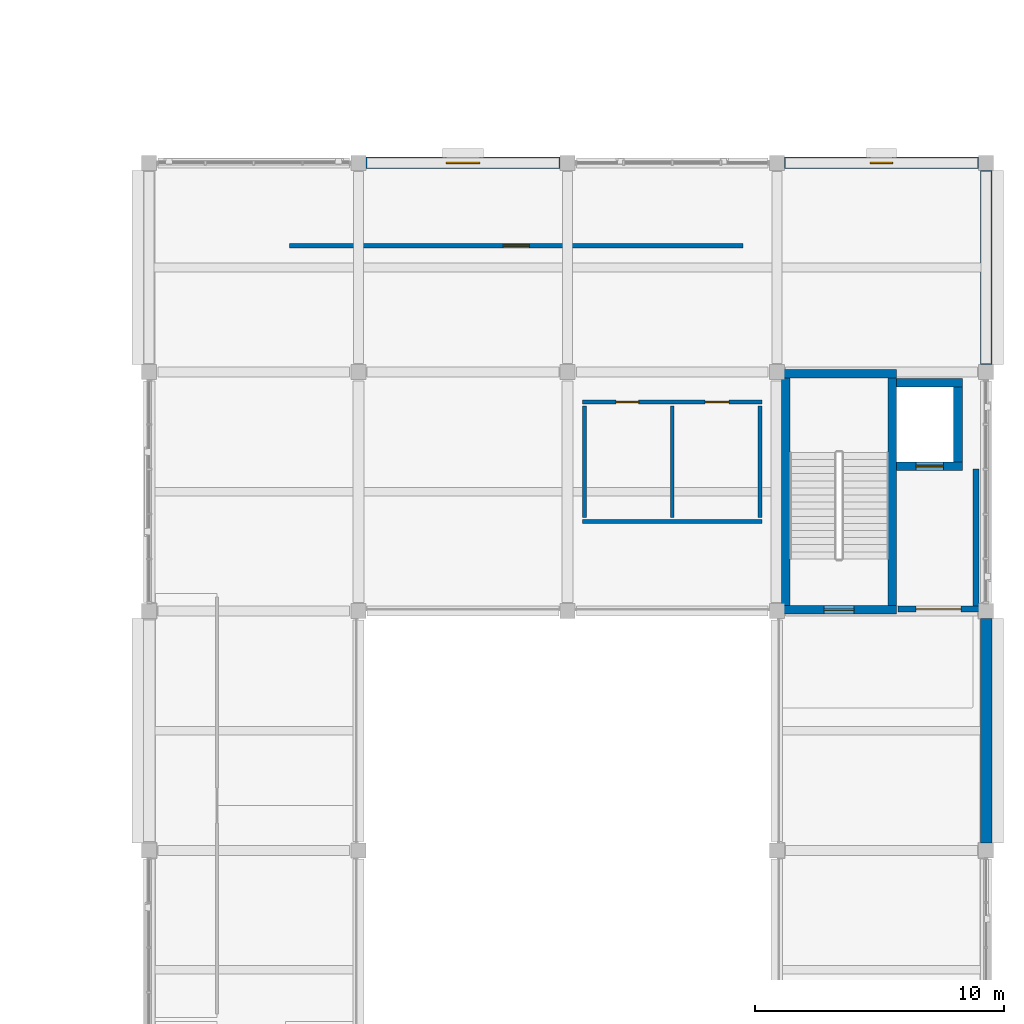
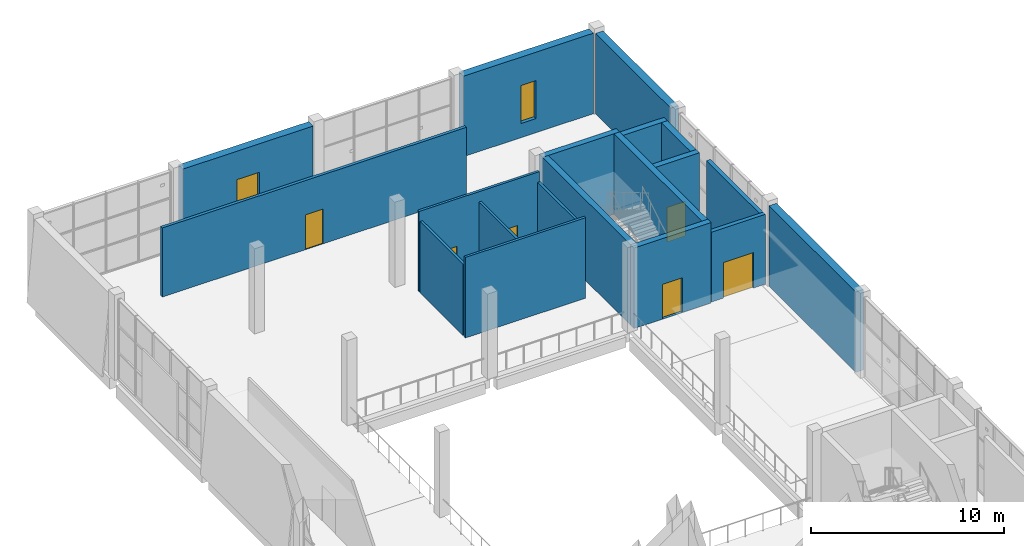
# One storey, part 44 of 57: 19 walls, 6 doors, 2 windows, 8 openings.
"""IFC4 building model written with IfcOpenShell, lengths in metres."""

from ifc_helpers import new_model, si_unit, direction, frame, frame_2d, origin, place, context, subcontext, project, spatial, rectangle, extrude, material, layer, layer_set, type_object, element, fill, save


model = new_model("IFC4")

# Units and contexts
model_context = context("Model", 3, precision=1e-05, world=origin(), true_north=direction((0.0, 1.0)))
body_context = subcontext(model_context, "Body", "Model", "MODEL_VIEW")
ifc_project = project(units=[si_unit("LENGTHUNIT", "METRE"), si_unit("AREAUNIT", "SQUARE_METRE"), si_unit("VOLUMEUNIT", "CUBIC_METRE"), si_unit("PLANEANGLEUNIT", "RADIAN"), si_unit("MASSUNIT", "GRAM", prefix="KILO")], contexts=[model_context])

# Site, building, storey
site_placement = place(None, origin())
site = spatial("IfcSite", under=ifc_project, at=site_placement, CompositionType="ELEMENT")
building_placement = place(site_placement, origin())
building = spatial("IfcBuilding", under=site, at=building_placement, Name="Shalvenor Court Art Gallery", CompositionType="ELEMENT")
storey_placement = place(building_placement, frame((0.0, 0.0, 16.800048828125)))
storey = spatial("IfcBuildingStorey", under=building, at=storey_placement, Name="L03", CompositionType="ELEMENT", Elevation=16.800048828125)

# Walls
ifc_material_1 = material(Name="Concrete C40/50", Category="concrete")
ifc_layer_1 = layer(ifc_material_1, 0.35009765625, Name="Concrete C40/50")
ifc_layer_set_1 = layer_set([ifc_layer_1], Name="Concrete C40/50")
wall_type_1 = type_object("IfcWallType", Name="CW-W1", PredefinedType="SHEAR", material=ifc_layer_set_1)
wall_1_placement = place(storey_placement, frame((168.18798828125, 88.737060546875, 0.0), z_axis=(0.0, 0.0, 1.0), x_axis=(1.0, 0.0, 0.0)))
element("IfcWall", 1, at=wall_1_placement, inside=storey, type_object=wall_type_1, Name="L03 C1 Stair Core Shear Wall N", PredefinedType="SHEAR", context=body_context, shape_type="SweptSolid", body=[
    extrude(rectangle(XDim=4.6240234375, YDim=0.35009765625, at=frame_2d((2.31201171875, 0.0))), origin(), (0.0, 0.0, 1.0), 5.099853515625),
])
wall_2_placement = place(storey_placement, frame((172.636962890625, 88.56201171875, 0.0), z_axis=(0.0, 0.0, 1.0), x_axis=(0.0, -1.0, 0.0)))
element("IfcWall", 2, at=wall_2_placement, inside=storey, type_object=wall_type_1, Name="L03 C1 Stair Core Shear Wall E", PredefinedType="SHEAR", context=body_context, shape_type="SweptSolid", body=[
    extrude(rectangle(XDim=9.1240234375, YDim=0.35009765625, at=frame_2d((4.56201171875, 0.0))), origin(), (0.0, 0.0, 1.0), 5.099853515625),
])

# Wall, opening, door
wall_3_placement = place(storey_placement, frame((172.81201171875, 79.262939453125, 0.0), z_axis=(0.0, 0.0, 1.0), x_axis=(-1.0, 0.0, 0.0)))
wall_3 = element("IfcWall", 3, at=wall_3_placement, inside=storey, type_object=wall_type_1, Name="L03 C1 Stair Core Shear Wall S", PredefinedType="SHEAR", context=body_context, shape_type="SweptSolid", body=[
    extrude(rectangle(XDim=4.6240234375, YDim=0.35009765625, at=frame_2d((2.31201171875, 0.0))), origin(), (0.0, 0.0, 1.0), 5.099853515625),
])
opening_1_placement = place(wall_3_placement, frame((1.7119140625, 0.0, 0.0)))
opening_1 = element("IfcOpeningElement", 4, at=opening_1_placement, cuts=wall_3, Name="Opening FD-01", PredefinedType="OPENING", context=body_context, shape_type="SweptSolid", body=[
    extrude(rectangle(XDim=1.199951171875, YDim=2.199951171875, at=frame_2d((0.60009765625, 1.10009765625))), frame((0.0, 0.18505859375, 0.0), z_axis=(0.0, -1.0, 0.0), x_axis=(1.0, 0.0, 0.0)), (0.0, 0.0, 1.0), 0.3701171875),
])
ifc_material_2 = material(Name="Fire-rated steel stair doorset", Category="steel")
door_type_1 = type_object("IfcDoorType", Name="FD-01", OperationType="NOTDEFINED", PredefinedType="DOOR", material=ifc_material_2)
door_1_placement = place(opening_1_placement, origin())
door_1 = element("IfcDoor", 5, at=door_1_placement, inside=storey, type_object=door_type_1, Name="DR-ST-L03-C1 L03 ST-01 Fire Stair Door", OperationType="SINGLE_SWING_RIGHT", OverallHeight=2.199951171875, OverallWidth=1.199951171875, PredefinedType="DOOR", context=body_context, shape_type="SweptSolid", body=[
    extrude(rectangle(XDim=1.199951171875, YDim=2.199951171875, at=frame_2d((0.60009765625, 1.10009765625))), frame((0.0, 0.02490234375, 0.0), z_axis=(0.0, -1.0, 0.0), x_axis=(1.0, 0.0, 0.0)), (0.0, 0.0, 1.0), 0.050048828125),
])
fill(opening_1, door_1)

# Walls
wall_4_placement = place(storey_placement, frame((168.363037109375, 79.43798828125, 0.0), z_axis=(0.0, 0.0, 1.0), x_axis=(0.0, 1.0, 0.0)))
element("IfcWall", 6, at=wall_4_placement, inside=storey, type_object=wall_type_1, Name="L03 C1 Stair Core Shear Wall W", PredefinedType="SHEAR", context=body_context, shape_type="SweptSolid", body=[
    extrude(rectangle(XDim=9.1240234375, YDim=0.35009765625, at=frame_2d((4.56201171875, 0.0))), origin(), (0.0, 0.0, 1.0), 5.099853515625),
])
wall_5_placement = place(storey_placement, frame((172.81201171875, 88.375, 0.0), z_axis=(0.0, 0.0, 1.0), x_axis=(1.0, 0.0, 0.0)))
element("IfcWall", 7, at=wall_5_placement, inside=storey, type_object=wall_type_1, Name="L03 FL-01 Lift Shaft Wall N", PredefinedType="SHEAR", context=body_context, shape_type="SweptSolid", body=[
    extrude(rectangle(XDim=2.637939453125, YDim=0.35009765625, at=frame_2d((1.31884765625, 0.0))), origin(), (0.0, 0.0, 1.0), 5.099853515625),
])
wall_6_placement = place(storey_placement, frame((175.27490234375, 88.199951171875, 0.0), z_axis=(0.0, 0.0, 1.0), x_axis=(0.0, -1.0, 0.0)))
element("IfcWall", 8, at=wall_6_placement, inside=storey, type_object=wall_type_1, Name="L03 FL-01 Lift Shaft Wall E", PredefinedType="SHEAR", context=body_context, shape_type="SweptSolid", body=[
    extrude(rectangle(XDim=3.0, YDim=0.35009765625, at=frame_2d((1.5, 0.0))), origin(), (0.0, 0.0, 1.0), 5.099853515625),
])

# Wall, opening, door
wall_7_placement = place(storey_placement, frame((175.449951171875, 85.02490234375, 0.0), z_axis=(0.0, 0.0, 1.0), x_axis=(-1.0, 0.0, 0.0)))
wall_7 = element("IfcWall", 9, at=wall_7_placement, inside=storey, type_object=wall_type_1, Name="L03 FL-01 Lift Shaft Wall S", PredefinedType="SHEAR", context=body_context, shape_type="SweptSolid", body=[
    extrude(rectangle(XDim=2.637939453125, YDim=0.35009765625, at=frame_2d((1.31884765625, 0.0))), origin(), (0.0, 0.0, 1.0), 5.099853515625),
])
opening_2_placement = place(wall_7_placement, frame((0.76904296875, 0.0, 0.0)))
opening_2 = element("IfcOpeningElement", 10, at=opening_2_placement, cuts=wall_7, Name="Opening LD-01", PredefinedType="OPENING", context=body_context, shape_type="SweptSolid", body=[
    extrude(rectangle(XDim=1.10009765625, YDim=2.199951171875, at=frame_2d((0.550048828125, 1.10009765625))), frame((0.0, 0.18505859375, 0.0), z_axis=(0.0, -1.0, 0.0), x_axis=(1.0, 0.0, 0.0)), (0.0, 0.0, 1.0), 0.3701171875),
])
ifc_material_3 = material(Name="Stainless steel firefighting lift sliding landing door", Category="steel")
door_type_2 = type_object("IfcDoorType", Name="LD-01", OperationType="NOTDEFINED", PredefinedType="DOOR", material=ifc_material_3)
door_2_placement = place(opening_2_placement, origin())
door_2 = element("IfcDoor", 11, at=door_2_placement, inside=storey, type_object=door_type_2, Name="DR-LD-L03-FL-01 L03 FL-01 Lift Landing Sliding Door", OperationType="DOUBLE_DOOR_SLIDING", OverallHeight=2.199951171875, OverallWidth=1.10009765625, PredefinedType="DOOR", context=body_context, shape_type="SweptSolid", body=[
    extrude(rectangle(XDim=1.10009765625, YDim=2.199951171875, at=frame_2d((0.550048828125, 1.10009765625))), frame((0.0, 0.02490234375, 0.0), z_axis=(0.0, -1.0, 0.0), x_axis=(1.0, 0.0, 0.0)), (0.0, 0.0, 1.0), 0.050048828125),
])
fill(opening_2, door_2)

# Wall, opening, window
ifc_material_4 = material(Name="Concrete C40/50", Category="concrete")
ifc_layer_2 = layer(ifc_material_4, 0.4599609375, Name="Concrete C40/50")
ifc_layer_set_2 = layer_set([ifc_layer_2], Name="Concrete C40/50")
wall_type_2 = type_object("IfcWallType", Name="EW-01", PredefinedType="SOLIDWALL", material=ifc_layer_set_2)
wall_8_placement = place(storey_placement, frame((151.5, 97.199951171875, 0.0), z_axis=(0.0, 0.0, 1.0), x_axis=(1.0, 0.0, 0.0)))
wall_8 = element("IfcWall", 12, at=wall_8_placement, inside=storey, type_object=wall_type_2, Name="L03 V1 Exterior Wall WL-L03-0074", PredefinedType="SOLIDWALL", context=body_context, shape_type="SweptSolid", body=[
    extrude(rectangle(XDim=7.800048828125, YDim=0.4599609375, at=frame_2d((3.89990234375, 0.0))), origin(), (0.0, 0.0, 1.0), 5.099853515625),
])
opening_3_placement = place(wall_8_placement, frame((3.22509765625, 0.0, 0.89990234375)))
opening_3 = element("IfcOpeningElement", 13, at=opening_3_placement, cuts=wall_8, Name="Opening WN-13", PredefinedType="OPENING", context=body_context, shape_type="SweptSolid", body=[
    extrude(rectangle(XDim=1.35009765625, YDim=2.39990234375, at=frame_2d((0.675048828125, 1.199951171875))), frame((0.0, 0.239990234375, 0.0), z_axis=(0.0, -1.0, 0.0), x_axis=(1.0, 0.0, 0.0)), (0.0, 0.0, 1.0), 0.47998046875),
])
ifc_material_5 = material(Name="Deep-reveal slot limestone window IGU", Category="masonry")
window_type_1 = type_object("IfcWindowType", Name="WN-13", PartitioningType="SINGLE_PANEL", PredefinedType="WINDOW", material=ifc_material_5)
window_1_placement = place(opening_3_placement, origin())
window_1 = element("IfcWindow", 14, at=window_1_placement, inside=storey, type_object=window_type_1, Name="L03 Window WIN-L03-0013", OverallHeight=2.39990234375, OverallWidth=1.35009765625, PartitioningType="SINGLE_PANEL", PredefinedType="WINDOW", context=body_context, shape_type="SweptSolid", body=[
    extrude(rectangle(XDim=1.35009765625, YDim=2.39990234375, at=frame_2d((0.675048828125, 1.199951171875))), frame((0.0, 0.030029296875, 0.0), z_axis=(0.0, -1.0, 0.0), x_axis=(1.0, 0.0, 0.0)), (0.0, 0.0, 1.0), 0.06005859375),
])
fill(opening_3, window_1)

wall_9_placement = place(storey_placement, frame((168.300048828125, 97.199951171875, 0.0), z_axis=(0.0, 0.0, 1.0), x_axis=(1.0, 0.0, 0.0)))
wall_9 = element("IfcWall", 15, at=wall_9_placement, inside=storey, type_object=wall_type_2, Name="L03 V1 Exterior Wall WL-L03-0075", PredefinedType="SOLIDWALL", context=body_context, shape_type="SweptSolid", body=[
    extrude(rectangle(XDim=7.800048828125, YDim=0.4599609375, at=frame_2d((3.89990234375, 0.0))), origin(), (0.0, 0.0, 1.0), 5.099853515625),
])
opening_4_placement = place(wall_9_placement, frame((3.449951171875, 0.0, 0.89990234375)))
opening_4 = element("IfcOpeningElement", 16, at=opening_4_placement, cuts=wall_9, Name="Opening WN-14", PredefinedType="OPENING", context=body_context, shape_type="SweptSolid", body=[
    extrude(rectangle(XDim=0.89990234375, YDim=2.39990234375, at=frame_2d((0.449951171875, 1.199951171875))), frame((0.0, 0.239990234375, 0.0), z_axis=(0.0, -1.0, 0.0), x_axis=(1.0, 0.0, 0.0)), (0.0, 0.0, 1.0), 0.47998046875),
])
ifc_material_6 = material(Name="Deep-reveal slot limestone window IGU", Category="masonry")
window_type_2 = type_object("IfcWindowType", Name="WN-14", PartitioningType="SINGLE_PANEL", PredefinedType="WINDOW", material=ifc_material_6)
window_2_placement = place(opening_4_placement, origin())
window_2 = element("IfcWindow", 17, at=window_2_placement, inside=storey, type_object=window_type_2, Name="L03 Window WIN-L03-0014", OverallHeight=2.39990234375, OverallWidth=0.89990234375, PartitioningType="SINGLE_PANEL", PredefinedType="WINDOW", context=body_context, shape_type="SweptSolid", body=[
    extrude(rectangle(XDim=0.89990234375, YDim=2.39990234375, at=frame_2d((0.449951171875, 1.199951171875))), frame((0.0, 0.030029296875, 0.0), z_axis=(0.0, -1.0, 0.0), x_axis=(1.0, 0.0, 0.0)), (0.0, 0.0, 1.0), 0.06005859375),
])
fill(opening_4, window_2)

# Walls
wall_10_placement = place(storey_placement, frame((176.39990234375, 96.89990234375, 0.0), z_axis=(0.0, 0.0, 1.0), x_axis=(0.0, -1.0, 0.0)))
element("IfcWall", 18, at=wall_10_placement, inside=storey, type_object=wall_type_2, Name="L03 V1 Exterior Wall WL-L03-0076", PredefinedType="SOLIDWALL", context=body_context, shape_type="SweptSolid", body=[
    extrude(rectangle(XDim=7.7998046875, YDim=0.4599609375, at=frame_2d((3.89990234375, 0.0))), origin(), (0.0, 0.0, 1.0), 5.099853515625),
])
wall_11_placement = place(storey_placement, frame((176.39990234375, 78.89990234375, 0.0), z_axis=(0.0, 0.0, 1.0), x_axis=(0.0, -1.0, 0.0)))
element("IfcWall", 19, at=wall_11_placement, inside=storey, type_object=wall_type_2, Name="L03 V1 Exterior Wall WL-L03-0077", PredefinedType="SOLIDWALL", context=body_context, shape_type="SweptSolid", body=[
    extrude(rectangle(XDim=9.0, YDim=0.4599609375, at=frame_2d((4.5, 0.0))), origin(), (0.0, 0.0, 1.0), 5.099853515625),
])
ifc_material_7 = material(Name="Concrete blockwork fire wall", Category="masonry")
ifc_layer_3 = layer(ifc_material_7, 0.239990234375, Name="Concrete blockwork fire wall")
ifc_layer_set_3 = layer_set([ifc_layer_3], Name="Concrete blockwork fire wall")
wall_type_3 = type_object("IfcWallType", Name="FW-01", PredefinedType="PARTITIONING", material=ifc_layer_set_3)
wall_12_placement = place(storey_placement, frame((176.0, 84.89990234375, 0.0), z_axis=(0.0, 0.0, 1.0), x_axis=(0.0, -1.0, 0.0)))
element("IfcWall", 20, at=wall_12_placement, inside=storey, type_object=wall_type_3, Name="L03 C1 Firefighting Lobby Wall E", PredefinedType="PARTITIONING", context=body_context, shape_type="SweptSolid", body=[
    extrude(rectangle(XDim=5.5, YDim=0.239990234375, at=frame_2d((2.75, 0.0))), origin(), (0.0, 0.0, 1.0), 4.425048828125),
])

# Wall, opening, door
wall_13_placement = place(storey_placement, frame((176.1201171875, 79.280029296875, 0.0), z_axis=(0.0, 0.0, 1.0), x_axis=(-1.0, 0.0, 0.0)))
wall_13 = element("IfcWall", 21, at=wall_13_placement, inside=storey, type_object=wall_type_3, Name="L03 C1 Firefighting Lobby Wall S", PredefinedType="PARTITIONING", context=body_context, shape_type="SweptSolid", body=[
    extrude(rectangle(XDim=3.25, YDim=0.239990234375, at=frame_2d((1.625, 0.0))), origin(), (0.0, 0.0, 1.0), 4.425048828125),
])
opening_5_placement = place(wall_13_placement, frame((0.72509765625, 0.0, 0.0)))
opening_5 = element("IfcOpeningElement", 22, at=opening_5_placement, cuts=wall_13, Name="Opening FD-02", PredefinedType="OPENING", context=body_context, shape_type="SweptSolid", body=[
    extrude(rectangle(XDim=1.800048828125, YDim=2.25, at=frame_2d((0.89990234375, 1.125))), frame((0.0, 0.1298828125, 0.0), z_axis=(0.0, -1.0, 0.0), x_axis=(1.0, 0.0, 0.0)), (0.0, 0.0, 1.0), 0.260009765625),
])
ifc_material_8 = material(Name="Fire-rated double lobby doorset", Category="steel")
door_type_3 = type_object("IfcDoorType", Name="FD-02", OperationType="NOTDEFINED", PredefinedType="DOOR", material=ifc_material_8)
door_3_placement = place(opening_5_placement, origin())
door_3 = element("IfcDoor", 23, at=door_3_placement, inside=storey, type_object=door_type_3, Name="DR-FFL-L03-C1 L03 C1 Firefighting Lobby Double Door", OperationType="DOUBLE_DOOR_SINGLE_SWING", OverallHeight=2.25, OverallWidth=1.800048828125, PredefinedType="DOOR", context=body_context, shape_type="SweptSolid", body=[
    extrude(rectangle(XDim=1.800048828125, YDim=2.25, at=frame_2d((0.89990234375, 1.125))), frame((0.0, 0.02490234375, 0.0), z_axis=(0.0, -1.0, 0.0), x_axis=(1.0, 0.0, 0.0)), (0.0, 0.0, 1.0), 0.050048828125),
])
fill(opening_5, door_3)

ifc_material_9 = material(Name="Plywood-backed acoustic art-hanging partition", Category="wood")
ifc_layer_4 = layer(ifc_material_9, 0.179931640625, Name="Plywood-backed acoustic art-hanging partition")
ifc_layer_set_4 = layer_set([ifc_layer_4], Name="Plywood-backed acoustic art-hanging partition")
wall_type_4 = type_object("IfcWallType", Name="PT-01", PredefinedType="PARTITIONING", material=ifc_layer_set_4)
wall_14_placement = place(storey_placement, frame((166.64990234375, 93.8798828125, 0.0), z_axis=(0.0, 0.0, 1.0), x_axis=(-1.0, 0.0, 0.0)))
wall_14 = element("IfcWall", 24, at=wall_14_placement, inside=storey, type_object=wall_type_4, Name="L03 Curatorial Office Partition 657", PredefinedType="PARTITIONING", context=body_context, shape_type="SweptSolid", body=[
    extrude(rectangle(XDim=18.219970703125, YDim=0.179931640625, at=frame_2d((9.10986328125, 0.0))), origin(), (0.0, 0.0, 1.0), 4.375),
])
opening_6_placement = place(wall_14_placement, frame((8.5849609375, 0.0, 0.0)))
opening_6 = element("IfcOpeningElement", 25, at=opening_6_placement, cuts=wall_14, Name="Opening ID-04", PredefinedType="OPENING", context=body_context, shape_type="SweptSolid", body=[
    extrude(rectangle(XDim=1.050048828125, YDim=2.199951171875, at=frame_2d((0.52490234375, 1.10009765625))), frame((0.0, 0.099853515625, 0.0), z_axis=(0.0, -1.0, 0.0), x_axis=(1.0, 0.0, 0.0)), (0.0, 0.0, 1.0), 0.199951171875),
])
ifc_material_10 = material(Name="Oak-veneered accessible room doorset", Category="wood")
door_type_4 = type_object("IfcDoorType", Name="ID-04", OperationType="NOTDEFINED", PredefinedType="DOOR", material=ifc_material_10)
door_4_placement = place(opening_6_placement, origin())
door_4 = element("IfcDoor", 26, at=door_4_placement, inside=storey, type_object=door_type_4, Name="DR-RM-L03-0188 L03 Curatorial Office Door", OperationType="SINGLE_SWING_RIGHT", OverallHeight=2.199951171875, OverallWidth=1.050048828125, PredefinedType="DOOR", context=body_context, shape_type="SweptSolid", body=[
    extrude(rectangle(XDim=1.050048828125, YDim=2.199951171875, at=frame_2d((0.52490234375, 1.10009765625))), frame((0.0, 0.02490234375, 0.0), z_axis=(0.0, -1.0, 0.0), x_axis=(1.0, 0.0, 0.0)), (0.0, 0.0, 1.0), 0.050048828125),
])
fill(opening_6, door_4)

# Wall, openings, doors
ifc_material_11 = material(Name="Moisture-resistant sanitary partition", Category="other")
ifc_layer_5 = layer(ifc_material_11, 0.14990234375, Name="Moisture-resistant sanitary partition")
ifc_layer_set_5 = layer_set([ifc_layer_5], Name="Moisture-resistant sanitary partition")
wall_type_5 = type_object("IfcWallType", Name="PT-03", PredefinedType="PARTITIONING", material=ifc_layer_set_5)
wall_15_placement = place(storey_placement, frame((160.199951171875, 87.60009765625, 0.0), z_axis=(0.0, 0.0, 1.0), x_axis=(1.0, 0.0, 0.0)))
wall_15 = element("IfcWall", 27, at=wall_15_placement, inside=storey, type_object=wall_type_5, Name="L03 C1 Restroom Front Partition", PredefinedType="PARTITIONING", context=body_context, shape_type="SweptSolid", body=[
    extrude(rectangle(XDim=7.199951171875, YDim=0.14990234375, at=frame_2d((3.60009765625, 0.0))), origin(), (0.0, 0.0, 1.0), 5.099853515625),
])
opening_7_placement = place(wall_15_placement, frame((1.35009765625, 0.0, 0.0)))
opening_7 = element("IfcOpeningElement", 28, at=opening_7_placement, cuts=wall_15, Name="Opening ID-07", PredefinedType="OPENING", context=body_context, shape_type="SweptSolid", body=[
    extrude(rectangle(XDim=0.89990234375, YDim=2.10009765625, at=frame_2d((0.449951171875, 1.050048828125))), frame((0.0, 0.0849609375, 0.0), z_axis=(0.0, -1.0, 0.0), x_axis=(1.0, 0.0, 0.0)), (0.0, 0.0, 1.0), 0.169921875),
])
opening_8_placement = place(wall_15_placement, frame((4.925048828125, 0.0, 0.0)))
opening_8 = element("IfcOpeningElement", 29, at=opening_8_placement, cuts=wall_15, Name="Opening ID-06", PredefinedType="OPENING", context=body_context, shape_type="SweptSolid", body=[
    extrude(rectangle(XDim=0.949951171875, YDim=2.14990234375, at=frame_2d((0.47509765625, 1.074951171875))), frame((0.0, 0.0849609375, 0.0), z_axis=(0.0, -1.0, 0.0), x_axis=(1.0, 0.0, 0.0)), (0.0, 0.0, 1.0), 0.169921875),
])
ifc_material_12 = material(Name="Accessible restroom doorset", Category="steel")
door_type_5 = type_object("IfcDoorType", Name="ID-06", OperationType="NOTDEFINED", PredefinedType="DOOR", material=ifc_material_12)
door_5_placement = place(opening_8_placement, origin())
door_5 = element("IfcDoor", 30, at=door_5_placement, inside=storey, type_object=door_type_5, Name="DR-AWC-L03-C1-2 L03 C1 Accessible Restroom Door", OperationType="SINGLE_SWING_RIGHT", OverallHeight=2.14990234375, OverallWidth=0.949951171875, PredefinedType="DOOR", context=body_context, shape_type="SweptSolid", body=[
    extrude(rectangle(XDim=0.949951171875, YDim=2.14990234375, at=frame_2d((0.47509765625, 1.074951171875))), frame((0.0, 0.02490234375, 0.0), z_axis=(0.0, -1.0, 0.0), x_axis=(1.0, 0.0, 0.0)), (0.0, 0.0, 1.0), 0.050048828125),
])
fill(opening_8, door_5)
ifc_material_13 = material(Name="Restroom timber doorset", Category="wood")
door_type_6 = type_object("IfcDoorType", Name="ID-07", OperationType="NOTDEFINED", PredefinedType="DOOR", material=ifc_material_13)
door_6_placement = place(opening_7_placement, origin())
door_6 = element("IfcDoor", 31, at=door_6_placement, inside=storey, type_object=door_type_6, Name="DR-WC-L03-C1-1 L03 C1 Public Restroom Door", OperationType="SINGLE_SWING_LEFT", OverallHeight=2.10009765625, OverallWidth=0.89990234375, PredefinedType="DOOR", context=body_context, shape_type="SweptSolid", body=[
    extrude(rectangle(XDim=0.89990234375, YDim=2.10009765625, at=frame_2d((0.449951171875, 1.050048828125))), frame((0.0, 0.02490234375, 0.0), z_axis=(0.0, -1.0, 0.0), x_axis=(1.0, 0.0, 0.0)), (0.0, 0.0, 1.0), 0.050048828125),
])
fill(opening_7, door_6)

# Walls
wall_16_placement = place(storey_placement, frame((160.199951171875, 82.800048828125, 0.0), z_axis=(0.0, 0.0, 1.0), x_axis=(1.0, 0.0, 0.0)))
element("IfcWall", 32, at=wall_16_placement, inside=storey, type_object=wall_type_5, Name="L03 C1 Restroom Back Partition", PredefinedType="PARTITIONING", context=body_context, shape_type="SweptSolid", body=[
    extrude(rectangle(XDim=7.199951171875, YDim=0.14990234375, at=frame_2d((3.60009765625, 0.0))), origin(), (0.0, 0.0, 1.0), 5.099853515625),
])
for number, where, z_axis, x_axis, name in (
    (33, (160.27490234375, 82.9599609375, 0.0), (0.0, 0.0, 1.0), (0.0, 1.0, 0.0), "L03 C1 Restroom Partition L"),
    (34, (163.800048828125, 82.9599609375, 0.0), (0.0, 0.0, 1.0), (0.0, 1.0, 0.0), "L03 C1 Restroom Partition M"),
    (35, (167.324951171875, 82.9599609375, 0.0), (0.0, 0.0, 1.0), (0.0, 1.0, 0.0), "L03 C1 Restroom Partition R"),
):
    element("IfcWall", number, at=place(storey_placement, frame(where, z_axis=z_axis, x_axis=x_axis)), inside=storey, type_object=wall_type_5, Name=name, PredefinedType="PARTITIONING", context=body_context, shape_type="SweptSolid", body=[
        extrude(rectangle(XDim=4.47998046875, YDim=0.14990234375, at=frame_2d((2.239990234375, 0.0))), origin(), (0.0, 0.0, 1.0), 4.52490234375),
    ])

save(model, "model.ifc")
